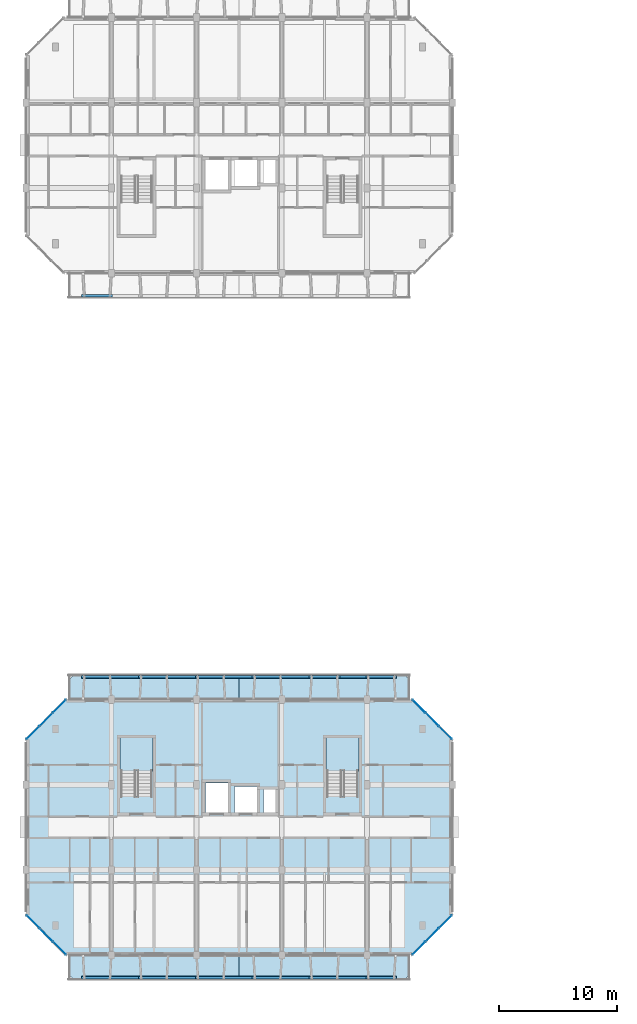
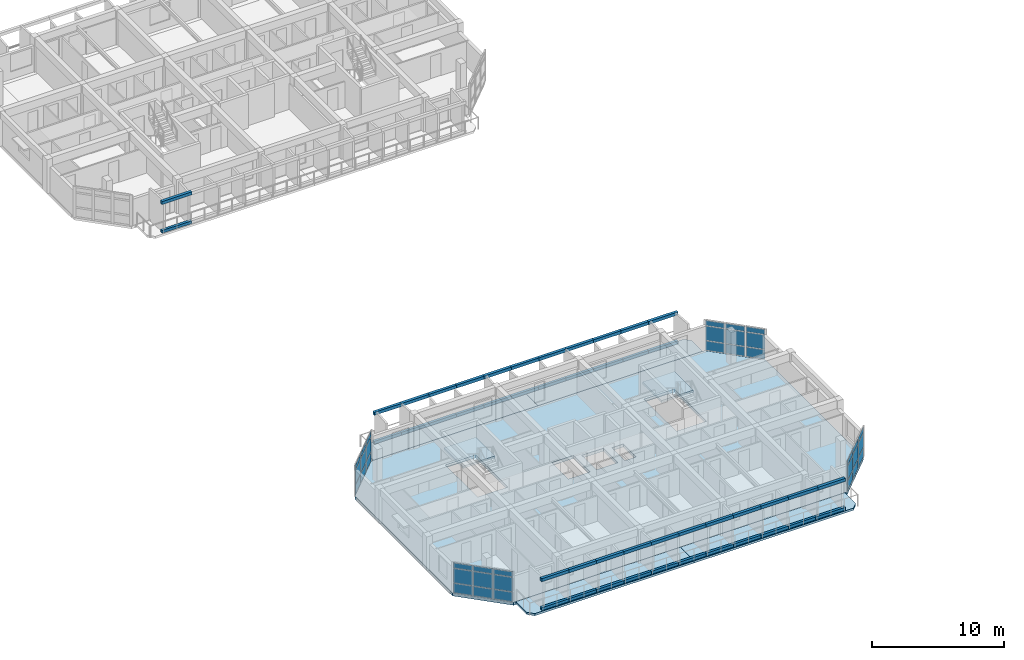
# One storey, part 10 of 43: 82 plates, 7 slabs, 6 elements without a shape of their own.
"""IFC4 building model written with IfcOpenShell, lengths in metres."""

from ifc_helpers import new_model, si_unit, direction, frame, origin, origin_2d, place, context, subcontext, project, spatial, polyline, rectangle, outline, extrude, material, layer, layer_set, type_object, element, aggregate, save


model = new_model("IFC4")

# Units and contexts
model_context = context("Model", 3, precision=1e-05, world=origin(), true_north=direction((0.0, 1.0)))
body_context = subcontext(model_context, "Body", "Model", "MODEL_VIEW")
ifc_project = project(units=[si_unit("LENGTHUNIT", "METRE"), si_unit("AREAUNIT", "SQUARE_METRE"), si_unit("VOLUMEUNIT", "CUBIC_METRE"), si_unit("PLANEANGLEUNIT", "RADIAN"), si_unit("MASSUNIT", "GRAM", prefix="KILO")], contexts=[model_context])

# Site, building, storey
site_placement = place(None, origin())
site = spatial("IfcSite", under=ifc_project, at=site_placement, CompositionType="ELEMENT")
building_placement = place(site_placement, origin())
building = spatial("IfcBuilding", under=site, at=building_placement, Name="Ochrevale Crest", CompositionType="ELEMENT")
storey_placement = place(building_placement, frame((0.0, 0.0, 15.0)))
storey = spatial("IfcBuildingStorey", under=building, at=storey_placement, Name="L04", CompositionType="ELEMENT", Elevation=15.0)

# Curtain wall, plates
ifc_material_1 = material(Name="Anodised aluminium 6063-T5", Category="aluminium")
ifc_layer_1 = layer(ifc_material_1, 0.14990234375)
ifc_layer_set_1 = layer_set([ifc_layer_1], Name="Anodised aluminium 6063-T5")
curtain_wall_type_1 = type_object("IfcCurtainWallType", Name="CW-WG-240x285", PredefinedType="NOTDEFINED", material=ifc_layer_set_1)
curtain_wall_1_placement = place(storey_placement, origin())
curtain_wall_1 = element("IfcCurtainWall", 1, at=curtain_wall_1_placement, inside=storey, type_object=curtain_wall_type_1, Name="Block A L04 chamfered corner wintergarden curtain wall 6", PredefinedType="NOTDEFINED")
ifc_material_2 = material(Name="Double-glazed low-E insulated glass unit", Category="glass")
ifc_layer_2 = layer(ifc_material_2, 0.028076171875)
ifc_layer_set_2 = layer_set([ifc_layer_2], Name="Double-glazed low-E insulated glass unit")
plate_type_1 = type_object("IfcPlateType", Name="CW-PNL-IGU28", PredefinedType="CURTAIN_PANEL", material=ifc_layer_set_2)
plate_1_placement = place(storey_placement, frame((2.820068359375, 35.420166015625, 0.06005859375), z_axis=(0.0, 0.0, 1.0), x_axis=(-0.707106781187, -0.707106781187, 0.0)))
plate_1 = element("IfcPlate", 2, at=plate_1_placement, type_object=plate_type_1, Name="CW15 panel 1.1", PredefinedType="CURTAIN_PANEL", context=body_context, shape_type="SweptSolid", body=[
    extrude(rectangle(XDim=1.490234375, YDim=0.028076171875, at=origin_2d()), origin(), (0.0, 0.0, 1.0), 0.860107421875),
])
plate_2_placement = place(storey_placement, frame((2.820068359375, 35.420166015625, 0.97998046875), z_axis=(0.0, 0.0, 1.0), x_axis=(-0.707106781187, -0.707106781187, 0.0)))
plate_2 = element("IfcPlate", 3, at=plate_2_placement, type_object=plate_type_1, Name="CW15 panel 1.2", PredefinedType="CURTAIN_PANEL", context=body_context, shape_type="SweptSolid", body=[
    extrude(rectangle(XDim=1.490234375, YDim=0.028076171875, at=origin_2d()), origin(), (0.0, 0.0, 1.0), 1.31494140625),
])
plate_3_placement = place(storey_placement, frame((2.820068359375, 35.420166015625, 2.35498046875), z_axis=(0.0, 0.0, 1.0), x_axis=(-0.707106781187, -0.707106781187, 0.0)))
plate_3 = element("IfcPlate", 4, at=plate_3_placement, type_object=plate_type_1, Name="CW15 panel 1.3", PredefinedType="CURTAIN_PANEL", context=body_context, shape_type="SweptSolid", body=[
    extrude(rectangle(XDim=1.490234375, YDim=0.028076171875, at=origin_2d()), origin(), (0.0, 0.0, 1.0), 0.4599609375),
])
plate_4_placement = place(storey_placement, frame((1.699951171875, 34.300048828125, 0.06005859375), z_axis=(0.0, 0.0, 1.0), x_axis=(-0.707106781187, -0.707106781187, 0.0)))
plate_4 = element("IfcPlate", 5, at=plate_4_placement, type_object=plate_type_1, Name="CW15 panel 2.1", PredefinedType="CURTAIN_PANEL", context=body_context, shape_type="SweptSolid", body=[
    extrude(rectangle(XDim=1.52783203125, YDim=0.028076171875, at=origin_2d()), origin(), (0.0, 0.0, 1.0), 0.860107421875),
])
plate_5_placement = place(storey_placement, frame((1.699951171875, 34.300048828125, 0.97998046875), z_axis=(0.0, 0.0, 1.0), x_axis=(-0.707106781187, -0.707106781187, 0.0)))
plate_5 = element("IfcPlate", 6, at=plate_5_placement, type_object=plate_type_1, Name="CW15 panel 2.2", PredefinedType="CURTAIN_PANEL", context=body_context, shape_type="SweptSolid", body=[
    extrude(rectangle(XDim=1.52783203125, YDim=0.028076171875, at=origin_2d()), origin(), (0.0, 0.0, 1.0), 1.31494140625),
])
plate_6_placement = place(storey_placement, frame((1.699951171875, 34.300048828125, 2.35498046875), z_axis=(0.0, 0.0, 1.0), x_axis=(-0.707106781187, -0.707106781187, 0.0)))
plate_6 = element("IfcPlate", 7, at=plate_6_placement, type_object=plate_type_1, Name="CW15 panel 2.3", PredefinedType="CURTAIN_PANEL", context=body_context, shape_type="SweptSolid", body=[
    extrude(rectangle(XDim=1.52783203125, YDim=0.028076171875, at=origin_2d()), origin(), (0.0, 0.0, 1.0), 0.4599609375),
])
plate_7_placement = place(storey_placement, frame((0.579833984375, 33.179931640625, 0.06005859375), z_axis=(0.0, 0.0, 1.0), x_axis=(-0.707106781187, -0.707106781187, 0.0)))
plate_7 = element("IfcPlate", 8, at=plate_7_placement, type_object=plate_type_1, Name="CW15 panel 3.1", PredefinedType="CURTAIN_PANEL", context=body_context, shape_type="SweptSolid", body=[
    extrude(rectangle(XDim=1.490234375, YDim=0.028076171875, at=origin_2d()), origin(), (0.0, 0.0, 1.0), 0.860107421875),
])
plate_8_placement = place(storey_placement, frame((0.579833984375, 33.179931640625, 0.97998046875), z_axis=(0.0, 0.0, 1.0), x_axis=(-0.707106781187, -0.707106781187, 0.0)))
plate_8 = element("IfcPlate", 9, at=plate_8_placement, type_object=plate_type_1, Name="CW15 panel 3.2", PredefinedType="CURTAIN_PANEL", context=body_context, shape_type="SweptSolid", body=[
    extrude(rectangle(XDim=1.490234375, YDim=0.028076171875, at=origin_2d()), origin(), (0.0, 0.0, 1.0), 1.31494140625),
])
plate_9_placement = place(storey_placement, frame((0.579833984375, 33.179931640625, 2.35498046875), z_axis=(0.0, 0.0, 1.0), x_axis=(-0.707106781187, -0.707106781187, 0.0)))
plate_9 = element("IfcPlate", 10, at=plate_9_placement, type_object=plate_type_1, Name="CW15 panel 3.3", PredefinedType="CURTAIN_PANEL", context=body_context, shape_type="SweptSolid", body=[
    extrude(rectangle(XDim=1.490234375, YDim=0.028076171875, at=origin_2d()), origin(), (0.0, 0.0, 1.0), 0.4599609375),
])
aggregate(curtain_wall_1, [plate_1, plate_2, plate_3, plate_4, plate_5, plate_6, plate_7, plate_8, plate_9])

ifc_layer_3 = layer(ifc_material_1, 0.14990234375)
ifc_layer_set_3 = layer_set([ifc_layer_3], Name="Anodised aluminium 6063-T5")
curtain_wall_type_2 = type_object("IfcCurtainWallType", Name="CW-WG-320x285", PredefinedType="NOTDEFINED", material=ifc_layer_set_3)
curtain_wall_2_placement = place(storey_placement, origin())
curtain_wall_2 = element("IfcCurtainWall", 11, at=curtain_wall_2_placement, inside=storey, type_object=curtain_wall_type_2, Name="Block A L04 chamfered corner wintergarden curtain wall 8", PredefinedType="NOTDEFINED")
plate_10_placement = place(storey_placement, frame((0.579833984375, 17.219970703125, 0.06005859375), z_axis=(0.0, 0.0, 1.0), x_axis=(0.707106781187, -0.707106781187, 0.0)))
plate_10 = element("IfcPlate", 12, at=plate_10_placement, type_object=plate_type_1, Name="CW17 panel 1.1", PredefinedType="CURTAIN_PANEL", context=body_context, shape_type="SweptSolid", body=[
    extrude(rectangle(XDim=1.490234375, YDim=0.028076171875, at=origin_2d()), origin(), (0.0, 0.0, 1.0), 0.860107421875),
])
plate_11_placement = place(storey_placement, frame((0.579833984375, 17.219970703125, 0.97998046875), z_axis=(0.0, 0.0, 1.0), x_axis=(0.707106781187, -0.707106781187, 0.0)))
plate_11 = element("IfcPlate", 13, at=plate_11_placement, type_object=plate_type_1, Name="CW17 panel 1.2", PredefinedType="CURTAIN_PANEL", context=body_context, shape_type="SweptSolid", body=[
    extrude(rectangle(XDim=1.490234375, YDim=0.028076171875, at=origin_2d()), origin(), (0.0, 0.0, 1.0), 1.31494140625),
])
plate_12_placement = place(storey_placement, frame((0.579833984375, 17.219970703125, 2.35498046875), z_axis=(0.0, 0.0, 1.0), x_axis=(0.707106781187, -0.707106781187, 0.0)))
plate_12 = element("IfcPlate", 14, at=plate_12_placement, type_object=plate_type_1, Name="CW17 panel 1.3", PredefinedType="CURTAIN_PANEL", context=body_context, shape_type="SweptSolid", body=[
    extrude(rectangle(XDim=1.490234375, YDim=0.028076171875, at=origin_2d()), origin(), (0.0, 0.0, 1.0), 0.4599609375),
])
plate_13_placement = place(storey_placement, frame((1.699951171875, 16.10009765625, 0.06005859375), z_axis=(0.0, 0.0, 1.0), x_axis=(0.707106781187, -0.707106781187, 0.0)))
plate_13 = element("IfcPlate", 15, at=plate_13_placement, type_object=plate_type_1, Name="CW17 panel 2.1", PredefinedType="CURTAIN_PANEL", context=body_context, shape_type="SweptSolid", body=[
    extrude(rectangle(XDim=1.52783203125, YDim=0.028076171875, at=origin_2d()), origin(), (0.0, 0.0, 1.0), 0.860107421875),
])
plate_14_placement = place(storey_placement, frame((1.699951171875, 16.10009765625, 0.97998046875), z_axis=(0.0, 0.0, 1.0), x_axis=(0.707106781187, -0.707106781187, 0.0)))
plate_14 = element("IfcPlate", 16, at=plate_14_placement, type_object=plate_type_1, Name="CW17 panel 2.2", PredefinedType="CURTAIN_PANEL", context=body_context, shape_type="SweptSolid", body=[
    extrude(rectangle(XDim=1.52783203125, YDim=0.028076171875, at=origin_2d()), origin(), (0.0, 0.0, 1.0), 1.31494140625),
])
plate_15_placement = place(storey_placement, frame((1.699951171875, 16.10009765625, 2.35498046875), z_axis=(0.0, 0.0, 1.0), x_axis=(0.707106781187, -0.707106781187, 0.0)))
plate_15 = element("IfcPlate", 17, at=plate_15_placement, type_object=plate_type_1, Name="CW17 panel 2.3", PredefinedType="CURTAIN_PANEL", context=body_context, shape_type="SweptSolid", body=[
    extrude(rectangle(XDim=1.52783203125, YDim=0.028076171875, at=origin_2d()), origin(), (0.0, 0.0, 1.0), 0.4599609375),
])
plate_16_placement = place(storey_placement, frame((2.820068359375, 14.97998046875, 0.06005859375), z_axis=(0.0, 0.0, 1.0), x_axis=(0.707106781187, -0.707106781187, 0.0)))
plate_16 = element("IfcPlate", 18, at=plate_16_placement, type_object=plate_type_1, Name="CW17 panel 3.1", PredefinedType="CURTAIN_PANEL", context=body_context, shape_type="SweptSolid", body=[
    extrude(rectangle(XDim=1.490234375, YDim=0.028076171875, at=origin_2d()), origin(), (0.0, 0.0, 1.0), 0.860107421875),
])
plate_17_placement = place(storey_placement, frame((2.820068359375, 14.97998046875, 0.97998046875), z_axis=(0.0, 0.0, 1.0), x_axis=(0.707106781187, -0.707106781187, 0.0)))
plate_17 = element("IfcPlate", 19, at=plate_17_placement, type_object=plate_type_1, Name="CW17 panel 3.2", PredefinedType="CURTAIN_PANEL", context=body_context, shape_type="SweptSolid", body=[
    extrude(rectangle(XDim=1.490234375, YDim=0.028076171875, at=origin_2d()), origin(), (0.0, 0.0, 1.0), 1.31494140625),
])
plate_18_placement = place(storey_placement, frame((2.820068359375, 14.97998046875, 2.35498046875), z_axis=(0.0, 0.0, 1.0), x_axis=(0.707106781187, -0.707106781187, 0.0)))
plate_18 = element("IfcPlate", 20, at=plate_18_placement, type_object=plate_type_1, Name="CW17 panel 3.3", PredefinedType="CURTAIN_PANEL", context=body_context, shape_type="SweptSolid", body=[
    extrude(rectangle(XDim=1.490234375, YDim=0.028076171875, at=origin_2d()), origin(), (0.0, 0.0, 1.0), 0.4599609375),
])
aggregate(curtain_wall_2, [plate_10, plate_11, plate_12, plate_13, plate_14, plate_15, plate_16, plate_17, plate_18])

ifc_layer_4 = layer(ifc_material_1, 0.14990234375)
ifc_layer_set_4 = layer_set([ifc_layer_4], Name="Anodised aluminium 6063-T5")
curtain_wall_type_3 = type_object("IfcCurtainWallType", Name="CW-WG-280x285", PredefinedType="NOTDEFINED", material=ifc_layer_set_4)
curtain_wall_3_placement = place(storey_placement, origin())
curtain_wall_3 = element("IfcCurtainWall", 21, at=curtain_wall_3_placement, inside=storey, type_object=curtain_wall_type_3, Name="Block A L04 chamfered corner wintergarden curtain wall 2", PredefinedType="NOTDEFINED")
ifc_material_3 = material(Name="Acoustic laminated low-E insulated glass unit", Category="glass")
ifc_layer_5 = layer(ifc_material_3, 0.0380859375)
ifc_layer_set_5 = layer_set([ifc_layer_5], Name="Acoustic laminated low-E insulated glass unit")
plate_type_2 = type_object("IfcPlateType", Name="CW-PNL-IGU38", PredefinedType="CURTAIN_PANEL", material=ifc_layer_set_5)
plate_19_placement = place(storey_placement, frame((33.179931640625, 14.97998046875, 0.06005859375), z_axis=(0.0, 0.0, 1.0), x_axis=(0.707106781187, 0.707106781187, 0.0)))
plate_19 = element("IfcPlate", 22, at=plate_19_placement, type_object=plate_type_2, Name="CW16 panel 1.1", PredefinedType="CURTAIN_PANEL", context=body_context, shape_type="SweptSolid", body=[
    extrude(rectangle(XDim=1.490234375, YDim=0.0380859375, at=origin_2d()), origin(), (0.0, 0.0, 1.0), 0.860107421875),
])
plate_20_placement = place(storey_placement, frame((33.179931640625, 14.97998046875, 0.97998046875), z_axis=(0.0, 0.0, 1.0), x_axis=(0.707106781187, 0.707106781187, 0.0)))
plate_20 = element("IfcPlate", 23, at=plate_20_placement, type_object=plate_type_2, Name="CW16 panel 1.2", PredefinedType="CURTAIN_PANEL", context=body_context, shape_type="SweptSolid", body=[
    extrude(rectangle(XDim=1.490234375, YDim=0.0380859375, at=origin_2d()), origin(), (0.0, 0.0, 1.0), 1.31494140625),
])
plate_21_placement = place(storey_placement, frame((33.179931640625, 14.97998046875, 2.35498046875), z_axis=(0.0, 0.0, 1.0), x_axis=(0.707106781187, 0.707106781187, 0.0)))
plate_21 = element("IfcPlate", 24, at=plate_21_placement, type_object=plate_type_2, Name="CW16 panel 1.3", PredefinedType="CURTAIN_PANEL", context=body_context, shape_type="SweptSolid", body=[
    extrude(rectangle(XDim=1.490234375, YDim=0.0380859375, at=origin_2d()), origin(), (0.0, 0.0, 1.0), 0.4599609375),
])
plate_22_placement = place(storey_placement, frame((34.300048828125, 16.10009765625, 0.06005859375), z_axis=(0.0, 0.0, 1.0), x_axis=(0.707106781187, 0.707106781187, 0.0)))
plate_22 = element("IfcPlate", 25, at=plate_22_placement, type_object=plate_type_2, Name="CW16 panel 2.1", PredefinedType="CURTAIN_PANEL", context=body_context, shape_type="SweptSolid", body=[
    extrude(rectangle(XDim=1.52783203125, YDim=0.0380859375, at=origin_2d()), origin(), (0.0, 0.0, 1.0), 0.860107421875),
])
plate_23_placement = place(storey_placement, frame((34.300048828125, 16.10009765625, 0.97998046875), z_axis=(0.0, 0.0, 1.0), x_axis=(0.707106781187, 0.707106781187, 0.0)))
plate_23 = element("IfcPlate", 26, at=plate_23_placement, type_object=plate_type_2, Name="CW16 panel 2.2", PredefinedType="CURTAIN_PANEL", context=body_context, shape_type="SweptSolid", body=[
    extrude(rectangle(XDim=1.52783203125, YDim=0.0380859375, at=origin_2d()), origin(), (0.0, 0.0, 1.0), 1.31494140625),
])
plate_24_placement = place(storey_placement, frame((34.300048828125, 16.10009765625, 2.35498046875), z_axis=(0.0, 0.0, 1.0), x_axis=(0.707106781187, 0.707106781187, 0.0)))
plate_24 = element("IfcPlate", 27, at=plate_24_placement, type_object=plate_type_2, Name="CW16 panel 2.3", PredefinedType="CURTAIN_PANEL", context=body_context, shape_type="SweptSolid", body=[
    extrude(rectangle(XDim=1.52783203125, YDim=0.0380859375, at=origin_2d()), origin(), (0.0, 0.0, 1.0), 0.4599609375),
])
plate_25_placement = place(storey_placement, frame((35.420166015625, 17.219970703125, 0.06005859375), z_axis=(0.0, 0.0, 1.0), x_axis=(0.707106781187, 0.707106781187, 0.0)))
plate_25 = element("IfcPlate", 28, at=plate_25_placement, type_object=plate_type_2, Name="CW16 panel 3.1", PredefinedType="CURTAIN_PANEL", context=body_context, shape_type="SweptSolid", body=[
    extrude(rectangle(XDim=1.490234375, YDim=0.0380859375, at=origin_2d()), origin(), (0.0, 0.0, 1.0), 0.860107421875),
])
plate_26_placement = place(storey_placement, frame((35.420166015625, 17.219970703125, 0.97998046875), z_axis=(0.0, 0.0, 1.0), x_axis=(0.707106781187, 0.707106781187, 0.0)))
plate_26 = element("IfcPlate", 29, at=plate_26_placement, type_object=plate_type_2, Name="CW16 panel 3.2", PredefinedType="CURTAIN_PANEL", context=body_context, shape_type="SweptSolid", body=[
    extrude(rectangle(XDim=1.490234375, YDim=0.0380859375, at=origin_2d()), origin(), (0.0, 0.0, 1.0), 1.31494140625),
])
plate_27_placement = place(storey_placement, frame((35.420166015625, 17.219970703125, 2.35498046875), z_axis=(0.0, 0.0, 1.0), x_axis=(0.707106781187, 0.707106781187, 0.0)))
plate_27 = element("IfcPlate", 30, at=plate_27_placement, type_object=plate_type_2, Name="CW16 panel 3.3", PredefinedType="CURTAIN_PANEL", context=body_context, shape_type="SweptSolid", body=[
    extrude(rectangle(XDim=1.490234375, YDim=0.0380859375, at=origin_2d()), origin(), (0.0, 0.0, 1.0), 0.4599609375),
])
aggregate(curtain_wall_3, [plate_19, plate_20, plate_21, plate_22, plate_23, plate_24, plate_25, plate_26, plate_27])

ifc_layer_6 = layer(ifc_material_1, 0.14990234375)
ifc_layer_set_6 = layer_set([ifc_layer_6], Name="Anodised aluminium 6063-T5")
curtain_wall_type_4 = type_object("IfcCurtainWallType", Name="CW-WG-360x285", PredefinedType="NOTDEFINED", material=ifc_layer_set_6)
curtain_wall_4_placement = place(storey_placement, origin())
curtain_wall_4 = element("IfcCurtainWall", 31, at=curtain_wall_4_placement, inside=storey, type_object=curtain_wall_type_4, Name="Block A L04 chamfered corner wintergarden curtain wall 4", PredefinedType="NOTDEFINED")
plate_28_placement = place(storey_placement, frame((35.420166015625, 33.179931640625, 0.06005859375), z_axis=(0.0, 0.0, 1.0), x_axis=(-0.707106781187, 0.707106781187, 0.0)))
plate_28 = element("IfcPlate", 32, at=plate_28_placement, type_object=plate_type_2, Name="CW18 panel 1.1", PredefinedType="CURTAIN_PANEL", context=body_context, shape_type="SweptSolid", body=[
    extrude(rectangle(XDim=1.490234375, YDim=0.0380859375, at=origin_2d()), origin(), (0.0, 0.0, 1.0), 0.860107421875),
])
plate_29_placement = place(storey_placement, frame((35.420166015625, 33.179931640625, 0.97998046875), z_axis=(0.0, 0.0, 1.0), x_axis=(-0.707106781187, 0.707106781187, 0.0)))
plate_29 = element("IfcPlate", 33, at=plate_29_placement, type_object=plate_type_2, Name="CW18 panel 1.2", PredefinedType="CURTAIN_PANEL", context=body_context, shape_type="SweptSolid", body=[
    extrude(rectangle(XDim=1.490234375, YDim=0.0380859375, at=origin_2d()), origin(), (0.0, 0.0, 1.0), 1.31494140625),
])
plate_30_placement = place(storey_placement, frame((35.420166015625, 33.179931640625, 2.35498046875), z_axis=(0.0, 0.0, 1.0), x_axis=(-0.707106781187, 0.707106781187, 0.0)))
plate_30 = element("IfcPlate", 34, at=plate_30_placement, type_object=plate_type_2, Name="CW18 panel 1.3", PredefinedType="CURTAIN_PANEL", context=body_context, shape_type="SweptSolid", body=[
    extrude(rectangle(XDim=1.490234375, YDim=0.0380859375, at=origin_2d()), origin(), (0.0, 0.0, 1.0), 0.4599609375),
])
plate_31_placement = place(storey_placement, frame((34.300048828125, 34.300048828125, 0.06005859375), z_axis=(0.0, 0.0, 1.0), x_axis=(-0.707106781187, 0.707106781187, 0.0)))
plate_31 = element("IfcPlate", 35, at=plate_31_placement, type_object=plate_type_2, Name="CW18 panel 2.1", PredefinedType="CURTAIN_PANEL", context=body_context, shape_type="SweptSolid", body=[
    extrude(rectangle(XDim=1.52783203125, YDim=0.0380859375, at=origin_2d()), origin(), (0.0, 0.0, 1.0), 0.860107421875),
])
plate_32_placement = place(storey_placement, frame((34.300048828125, 34.300048828125, 0.97998046875), z_axis=(0.0, 0.0, 1.0), x_axis=(-0.707106781187, 0.707106781187, 0.0)))
plate_32 = element("IfcPlate", 36, at=plate_32_placement, type_object=plate_type_2, Name="CW18 panel 2.2", PredefinedType="CURTAIN_PANEL", context=body_context, shape_type="SweptSolid", body=[
    extrude(rectangle(XDim=1.52783203125, YDim=0.0380859375, at=origin_2d()), origin(), (0.0, 0.0, 1.0), 1.31494140625),
])
plate_33_placement = place(storey_placement, frame((34.300048828125, 34.300048828125, 2.35498046875), z_axis=(0.0, 0.0, 1.0), x_axis=(-0.707106781187, 0.707106781187, 0.0)))
plate_33 = element("IfcPlate", 37, at=plate_33_placement, type_object=plate_type_2, Name="CW18 panel 2.3", PredefinedType="CURTAIN_PANEL", context=body_context, shape_type="SweptSolid", body=[
    extrude(rectangle(XDim=1.52783203125, YDim=0.0380859375, at=origin_2d()), origin(), (0.0, 0.0, 1.0), 0.4599609375),
])
plate_34_placement = place(storey_placement, frame((33.179931640625, 35.420166015625, 0.06005859375), z_axis=(0.0, 0.0, 1.0), x_axis=(-0.707106781187, 0.707106781187, 0.0)))
plate_34 = element("IfcPlate", 38, at=plate_34_placement, type_object=plate_type_2, Name="CW18 panel 3.1", PredefinedType="CURTAIN_PANEL", context=body_context, shape_type="SweptSolid", body=[
    extrude(rectangle(XDim=1.490234375, YDim=0.0380859375, at=origin_2d()), origin(), (0.0, 0.0, 1.0), 0.860107421875),
])
plate_35_placement = place(storey_placement, frame((33.179931640625, 35.420166015625, 0.97998046875), z_axis=(0.0, 0.0, 1.0), x_axis=(-0.707106781187, 0.707106781187, 0.0)))
plate_35 = element("IfcPlate", 39, at=plate_35_placement, type_object=plate_type_2, Name="CW18 panel 3.2", PredefinedType="CURTAIN_PANEL", context=body_context, shape_type="SweptSolid", body=[
    extrude(rectangle(XDim=1.490234375, YDim=0.0380859375, at=origin_2d()), origin(), (0.0, 0.0, 1.0), 1.31494140625),
])
plate_36_placement = place(storey_placement, frame((33.179931640625, 35.420166015625, 2.35498046875), z_axis=(0.0, 0.0, 1.0), x_axis=(-0.707106781187, 0.707106781187, 0.0)))
plate_36 = element("IfcPlate", 40, at=plate_36_placement, type_object=plate_type_2, Name="CW18 panel 3.3", PredefinedType="CURTAIN_PANEL", context=body_context, shape_type="SweptSolid", body=[
    extrude(rectangle(XDim=1.490234375, YDim=0.0380859375, at=origin_2d()), origin(), (0.0, 0.0, 1.0), 0.4599609375),
])
aggregate(curtain_wall_4, [plate_28, plate_29, plate_30, plate_31, plate_32, plate_33, plate_34, plate_35, plate_36])

# Plates
ifc_material_4 = material(Name="Precast concrete C40/50", Category="concrete")
ifc_layer_7 = layer(ifc_material_4, 0.06005859375)
ifc_layer_set_7 = layer_set([ifc_layer_7], Name="Precast concrete C40/50")
plate_type_3 = type_object("IfcPlateType", Name="PLT-HC-HEAD-60", PredefinedType="USERDEFINED", material=ifc_layer_set_7)
for number, where, z_axis, x_axis, name in (
    (41, (6.0, 12.5, 2.669921875), (0.0, 0.0, 1.0), (1.0, 0.0, 0.0), "Block A L04 S honeycomb arched lintel fascia 1"),
    (42, (8.39990234375, 12.5, 2.669921875), (0.0, 0.0, 1.0), (1.0, 0.0, 0.0), "Block A L04 S honeycomb arched lintel fascia 2"),
    (43, (10.800048828125, 12.5, 2.669921875), (0.0, 0.0, 1.0), (1.0, 0.0, 0.0), "Block A L04 S honeycomb arched lintel fascia 3"),
    (44, (13.199951171875, 12.5, 2.669921875), (0.0, 0.0, 1.0), (1.0, 0.0, 0.0), "Block A L04 S honeycomb arched lintel fascia 4"),
    (45, (15.60009765625, 12.5, 2.669921875), (0.0, 0.0, 1.0), (1.0, 0.0, 0.0), "Block A L04 S honeycomb arched lintel fascia 5"),
    (46, (18.0, 12.5, 2.669921875), (0.0, 0.0, 1.0), (1.0, 0.0, 0.0), "Block A L04 S honeycomb arched lintel fascia 6"),
    (47, (20.39990234375, 12.5, 2.669921875), (0.0, 0.0, 1.0), (1.0, 0.0, 0.0), "Block A L04 S honeycomb arched lintel fascia 7"),
    (48, (22.800048828125, 12.5, 2.669921875), (0.0, 0.0, 1.0), (1.0, 0.0, 0.0), "Block A L04 S honeycomb arched lintel fascia 8"),
    (49, (25.199951171875, 12.5, 2.669921875), (0.0, 0.0, 1.0), (1.0, 0.0, 0.0), "Block A L04 S honeycomb arched lintel fascia 9"),
    (50, (27.60009765625, 12.5, 2.669921875), (0.0, 0.0, 1.0), (1.0, 0.0, 0.0), "Block A L04 S honeycomb arched lintel fascia 10"),
    (51, (30.0, 12.5, 2.669921875), (0.0, 0.0, 1.0), (1.0, 0.0, 0.0), "Block A L04 S honeycomb arched lintel fascia 11"),
    (52, (6.0, 37.89990234375, 2.669921875), (0.0, 0.0, 1.0), (1.0, 0.0, 0.0), "Block A L04 N honeycomb arched lintel fascia 1"),
    (53, (8.39990234375, 37.89990234375, 2.669921875), (0.0, 0.0, 1.0), (1.0, 0.0, 0.0), "Block A L04 N honeycomb arched lintel fascia 2"),
    (54, (10.800048828125, 37.89990234375, 2.669921875), (0.0, 0.0, 1.0), (1.0, 0.0, 0.0), "Block A L04 N honeycomb arched lintel fascia 3"),
    (55, (13.199951171875, 37.89990234375, 2.669921875), (0.0, 0.0, 1.0), (1.0, 0.0, 0.0), "Block A L04 N honeycomb arched lintel fascia 4"),
    (56, (15.60009765625, 37.89990234375, 2.669921875), (0.0, 0.0, 1.0), (1.0, 0.0, 0.0), "Block A L04 N honeycomb arched lintel fascia 5"),
    (57, (18.0, 37.89990234375, 2.669921875), (0.0, 0.0, 1.0), (1.0, 0.0, 0.0), "Block A L04 N honeycomb arched lintel fascia 6"),
    (58, (20.39990234375, 37.89990234375, 2.669921875), (0.0, 0.0, 1.0), (1.0, 0.0, 0.0), "Block A L04 N honeycomb arched lintel fascia 7"),
    (59, (22.800048828125, 37.89990234375, 2.669921875), (0.0, 0.0, 1.0), (1.0, 0.0, 0.0), "Block A L04 N honeycomb arched lintel fascia 8"),
    (60, (25.199951171875, 37.89990234375, 2.669921875), (0.0, 0.0, 1.0), (1.0, 0.0, 0.0), "Block A L04 N honeycomb arched lintel fascia 9"),
    (61, (27.60009765625, 37.89990234375, 2.669921875), (0.0, 0.0, 1.0), (1.0, 0.0, 0.0), "Block A L04 N honeycomb arched lintel fascia 10"),
    (62, (30.0, 37.89990234375, 2.669921875), (0.0, 0.0, 1.0), (1.0, 0.0, 0.0), "Block A L04 N honeycomb arched lintel fascia 11"),
    (63, (6.0, 70.10009765625, 2.669921875), (0.0, 0.0, 1.0), (1.0, 0.0, 0.0), "Block B L04 S honeycomb arched lintel fascia 1"),
):
    element("IfcPlate", number, at=place(storey_placement, frame(where, z_axis=z_axis, x_axis=x_axis)), inside=storey, type_object=plate_type_3, Name=name, ObjectType="FACADE FASCIA PLATE", PredefinedType="USERDEFINED", context=body_context, shape_type="SweptSolid", body=[
        extrude(rectangle(XDim=2.60009765625, YDim=0.239990234375, at=origin_2d()), origin(), (0.0, 0.0, 1.0), 0.280029296875),
    ])
ifc_layer_8 = layer(ifc_material_4, 0.044921875)
ifc_layer_set_8 = layer_set([ifc_layer_8], Name="Precast concrete C40/50")
plate_type_4 = type_object("IfcPlateType", Name="PLT-HC-SILL-45", PredefinedType="USERDEFINED", material=ifc_layer_set_8)
for number, where, z_axis, x_axis, name in (
    (64, (6.0, 12.5, 0.0), (0.0, 0.0, 1.0), (1.0, 0.0, 0.0), "Block A L04 S honeycomb sill coping plate 1"),
    (65, (8.39990234375, 12.5, 0.0), (0.0, 0.0, 1.0), (1.0, 0.0, 0.0), "Block A L04 S honeycomb sill coping plate 2"),
    (66, (10.800048828125, 12.5, 0.0), (0.0, 0.0, 1.0), (1.0, 0.0, 0.0), "Block A L04 S honeycomb sill coping plate 3"),
    (67, (13.199951171875, 12.5, 0.0), (0.0, 0.0, 1.0), (1.0, 0.0, 0.0), "Block A L04 S honeycomb sill coping plate 4"),
    (68, (15.60009765625, 12.5, 0.0), (0.0, 0.0, 1.0), (1.0, 0.0, 0.0), "Block A L04 S honeycomb sill coping plate 5"),
    (69, (18.0, 12.5, 0.0), (0.0, 0.0, 1.0), (1.0, 0.0, 0.0), "Block A L04 S honeycomb sill coping plate 6"),
    (70, (20.39990234375, 12.5, 0.0), (0.0, 0.0, 1.0), (1.0, 0.0, 0.0), "Block A L04 S honeycomb sill coping plate 7"),
    (71, (22.800048828125, 12.5, 0.0), (0.0, 0.0, 1.0), (1.0, 0.0, 0.0), "Block A L04 S honeycomb sill coping plate 8"),
    (72, (25.199951171875, 12.5, 0.0), (0.0, 0.0, 1.0), (1.0, 0.0, 0.0), "Block A L04 S honeycomb sill coping plate 9"),
    (73, (27.60009765625, 12.5, 0.0), (0.0, 0.0, 1.0), (1.0, 0.0, 0.0), "Block A L04 S honeycomb sill coping plate 10"),
    (74, (30.0, 12.5, 0.0), (0.0, 0.0, 1.0), (1.0, 0.0, 0.0), "Block A L04 S honeycomb sill coping plate 11"),
    (75, (6.0, 37.89990234375, 0.0), (0.0, 0.0, 1.0), (1.0, 0.0, 0.0), "Block A L04 N honeycomb sill coping plate 1"),
    (76, (8.39990234375, 37.89990234375, 0.0), (0.0, 0.0, 1.0), (1.0, 0.0, 0.0), "Block A L04 N honeycomb sill coping plate 2"),
    (77, (10.800048828125, 37.89990234375, 0.0), (0.0, 0.0, 1.0), (1.0, 0.0, 0.0), "Block A L04 N honeycomb sill coping plate 3"),
    (78, (13.199951171875, 37.89990234375, 0.0), (0.0, 0.0, 1.0), (1.0, 0.0, 0.0), "Block A L04 N honeycomb sill coping plate 4"),
    (79, (15.60009765625, 37.89990234375, 0.0), (0.0, 0.0, 1.0), (1.0, 0.0, 0.0), "Block A L04 N honeycomb sill coping plate 5"),
    (80, (18.0, 37.89990234375, 0.0), (0.0, 0.0, 1.0), (1.0, 0.0, 0.0), "Block A L04 N honeycomb sill coping plate 6"),
    (81, (20.39990234375, 37.89990234375, 0.0), (0.0, 0.0, 1.0), (1.0, 0.0, 0.0), "Block A L04 N honeycomb sill coping plate 7"),
    (82, (22.800048828125, 37.89990234375, 0.0), (0.0, 0.0, 1.0), (1.0, 0.0, 0.0), "Block A L04 N honeycomb sill coping plate 8"),
    (83, (25.199951171875, 37.89990234375, 0.0), (0.0, 0.0, 1.0), (1.0, 0.0, 0.0), "Block A L04 N honeycomb sill coping plate 9"),
    (84, (27.60009765625, 37.89990234375, 0.0), (0.0, 0.0, 1.0), (1.0, 0.0, 0.0), "Block A L04 N honeycomb sill coping plate 10"),
    (85, (30.0, 37.89990234375, 0.0), (0.0, 0.0, 1.0), (1.0, 0.0, 0.0), "Block A L04 N honeycomb sill coping plate 11"),
    (86, (6.0, 70.10009765625, 0.0), (0.0, 0.0, 1.0), (1.0, 0.0, 0.0), "Block B L04 S honeycomb sill coping plate 1"),
):
    element("IfcPlate", number, at=place(storey_placement, frame(where, z_axis=z_axis, x_axis=x_axis)), inside=storey, type_object=plate_type_4, Name=name, ObjectType="SILL COPING PLATE", PredefinedType="USERDEFINED", context=body_context, shape_type="SweptSolid", body=[
        extrude(rectangle(XDim=2.60009765625, YDim=0.219970703125, at=origin_2d()), origin(), (0.0, 0.0, 1.0), 0.260009765625),
    ])

# Slabs
ifc_layer_9 = layer(ifc_material_4, 0.199951171875)
ifc_layer_set_9 = layer_set([ifc_layer_9], Name="Precast concrete C40/50")
slab_type_1 = type_object("IfcSlabType", Name="SLB-BAL-200", PredefinedType="FLOOR", material=ifc_layer_set_9)
slab_1_placement = place(storey_placement, frame((0.0, 0.0, -0.199951171875)))
element("IfcSlab", 87, at=slab_1_placement, inside=storey, type_object=slab_type_1, Name="Block A L04 S1 precast loggia balcony slab", PredefinedType="FLOOR", context=body_context, shape_type="SweptSolid", body=[
    extrude(outline(polyline([(4.050048828125, 12.300048828125), (18.0, 12.300048828125), (18.0, 14.39990234375), (3.60009765625, 14.39990234375), (3.60009765625, 12.75), (4.050048828125, 12.300048828125)])), origin(), (0.0, 0.0, 1.0), 0.199951171875),
])
slab_2_placement = place(storey_placement, frame((0.0, 0.0, -0.199951171875)))
element("IfcSlab", 88, at=slab_2_placement, inside=storey, type_object=slab_type_1, Name="Block A L04 S2 precast loggia balcony slab", PredefinedType="FLOOR", context=body_context, shape_type="SweptSolid", body=[
    extrude(outline(polyline([(18.0, 12.300048828125), (31.949951171875, 12.300048828125), (32.39990234375, 12.75), (32.39990234375, 14.39990234375), (18.0, 14.39990234375), (18.0, 12.300048828125)])), origin(), (0.0, 0.0, 1.0), 0.199951171875),
])
slab_3_placement = place(storey_placement, frame((0.0, 0.0, -0.199951171875)))
element("IfcSlab", 89, at=slab_3_placement, inside=storey, type_object=slab_type_1, Name="Block A L04 N1 precast loggia balcony slab", PredefinedType="FLOOR", context=body_context, shape_type="SweptSolid", body=[
    extrude(outline(polyline([(3.60009765625, 36.0), (18.0, 36.0), (18.0, 38.10009765625), (4.050048828125, 38.10009765625), (3.60009765625, 37.64990234375), (3.60009765625, 36.0)])), origin(), (0.0, 0.0, 1.0), 0.199951171875),
])
slab_4_placement = place(storey_placement, frame((0.0, 0.0, -0.199951171875)))
element("IfcSlab", 90, at=slab_4_placement, inside=storey, type_object=slab_type_1, Name="Block A L04 N2 precast loggia balcony slab", PredefinedType="FLOOR", context=body_context, shape_type="SweptSolid", body=[
    extrude(outline(polyline([(18.0, 36.0), (32.39990234375, 36.0), (32.39990234375, 37.64990234375), (31.949951171875, 38.10009765625), (18.0, 38.10009765625), (18.0, 36.0)])), origin(), (0.0, 0.0, 1.0), 0.199951171875),
])
ifc_layer_10 = layer(ifc_material_4, 0.27490234375)
ifc_layer_set_10 = layer_set([ifc_layer_10], Name="Precast concrete C40/50")
slab_type_2 = type_object("IfcSlabType", Name="SLB-RES-275", PredefinedType="FLOOR", material=ifc_layer_set_10)
slab_5_placement = place(storey_placement, frame((0.0, 0.0, -0.27490234375)))
element("IfcSlab", 91, at=slab_5_placement, inside=storey, type_object=slab_type_2, Name="Block A L04 composite hollowcore floor slab", PredefinedType="FLOOR", context=body_context, shape_type="SweptSolid", body=[
    extrude(outline(polyline([(3.39990234375, 14.39990234375), (32.60009765625, 14.39990234375), (36.0, 17.800048828125), (36.0, 32.60009765625), (32.60009765625, 36.0), (3.39990234375, 36.0), (0.0, 32.60009765625), (0.0, 17.800048828125), (3.39990234375, 14.39990234375)]), holes=[polyline([(10.64990234375, 27.824951171875), (10.64990234375, 32.72509765625), (8.0, 32.72509765625), (8.0, 27.824951171875), (10.64990234375, 27.824951171875)]), polyline([(28.050048828125, 27.824951171875), (28.050048828125, 32.72509765625), (25.39990234375, 32.72509765625), (25.39990234375, 27.824951171875), (28.050048828125, 27.824951171875)]), polyline([(15.14990234375, 26.449951171875), (17.050048828125, 26.449951171875), (17.050048828125, 28.949951171875), (15.14990234375, 28.949951171875), (15.14990234375, 26.449951171875)]), polyline([(17.60009765625, 26.449951171875), (19.5, 26.449951171875), (19.5, 28.64990234375), (17.60009765625, 28.64990234375), (17.60009765625, 26.449951171875)]), polyline([(20.070068359375, 26.419921875), (21.080078125, 26.419921875), (21.080078125, 28.3798828125), (20.070068359375, 28.3798828125), (20.070068359375, 26.419921875)])]), origin(), (0.0, 0.0, 1.0), 0.27490234375),
])

# Stair, slab
stair_type = type_object("IfcStairType", Name="ST-CORE-DOG", PredefinedType="HALF_TURN_STAIR", material=ifc_material_4)
stair_1_placement = place(storey_placement, origin())
stair_1 = element("IfcStair", 92, at=stair_1_placement, inside=storey, type_object=stair_type, Name="L04 Block A Fire Stair 1", PredefinedType="HALF_TURN_STAIR")
ifc_layer_11 = layer(ifc_material_4, 0.199951171875)
ifc_layer_set_11 = layer_set([ifc_layer_11], Name="Precast concrete C40/50")
slab_type_3 = type_object("IfcSlabType", Name="SLB-ST-LAND", PredefinedType="LANDING", material=ifc_layer_set_11)
slab_6_placement = place(storey_placement, frame((0.0, 0.0, 1.375)))
slab_6 = element("IfcSlab", 93, at=slab_6_placement, type_object=slab_type_3, Name="ST-A1 landing 1", PredefinedType="LANDING", context=body_context, shape_type="SweptSolid", body=[
    extrude(outline(polyline([(10.72998046875, 29.93505859375), (10.72998046875, 32.804931640625), (7.919921875, 32.804931640625), (7.919921875, 29.93505859375), (10.72998046875, 29.93505859375)])), origin(), (0.0, 0.0, 1.0), 0.199951171875),
])
aggregate(stair_1, [slab_6])

stair_2_placement = place(storey_placement, origin())
stair_2 = element("IfcStair", 94, at=stair_2_placement, inside=storey, type_object=stair_type, Name="L04 Block A Fire Stair 2", PredefinedType="HALF_TURN_STAIR")
slab_7_placement = place(storey_placement, frame((0.0, 0.0, 1.375)))
slab_7 = element("IfcSlab", 95, at=slab_7_placement, type_object=slab_type_3, Name="ST-A2 landing 1", PredefinedType="LANDING", context=body_context, shape_type="SweptSolid", body=[
    extrude(outline(polyline([(28.1298828125, 29.93505859375), (28.1298828125, 32.804931640625), (25.320068359375, 32.804931640625), (25.320068359375, 29.93505859375), (28.1298828125, 29.93505859375)])), origin(), (0.0, 0.0, 1.0), 0.199951171875),
])
aggregate(stair_2, [slab_7])

save(model, "model.ifc")
